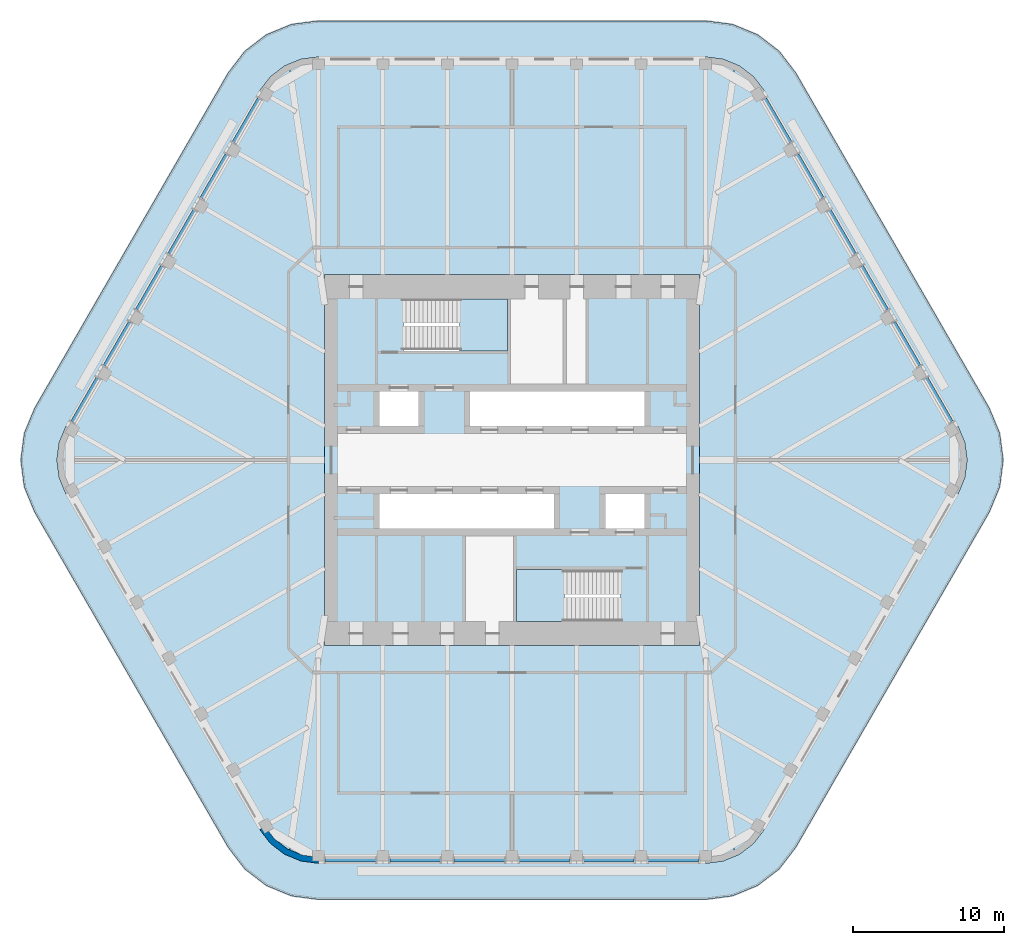
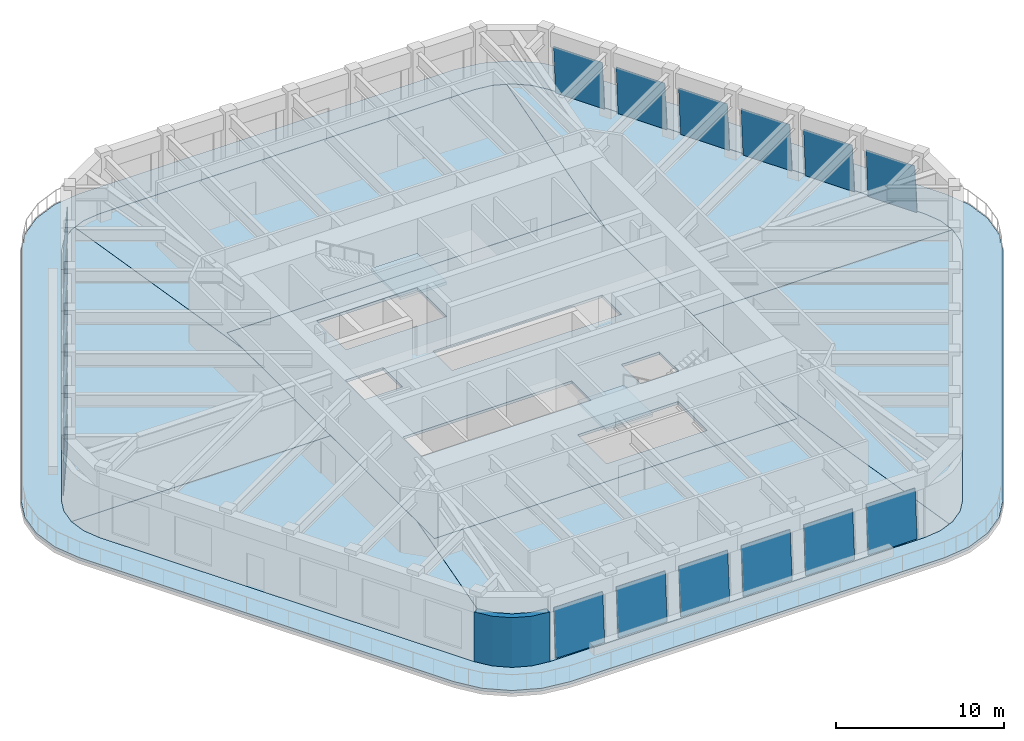
# One storey, part 6 of 13: 18 plates, 10 slabs, 1 wall, 20 elements without a shape of their own.
"""IFC4 building model written with IfcOpenShell, lengths in metres."""

from ifc_helpers import new_model, si_unit, direction, frame, origin, place, context, subcontext, project, spatial, polyline, outline, extrude, material, layer, layer_set, type_object, element, aggregate, save


model = new_model("IFC4")

# Units and contexts
model_context = context("Model", 3, precision=1e-05, world=origin(), true_north=direction((0.0, 1.0)))
body_context = subcontext(model_context, "Body", "Model", "MODEL_VIEW")
ifc_project = project(units=[si_unit("LENGTHUNIT", "METRE"), si_unit("AREAUNIT", "SQUARE_METRE"), si_unit("VOLUMEUNIT", "CUBIC_METRE"), si_unit("PLANEANGLEUNIT", "RADIAN"), si_unit("MASSUNIT", "GRAM", prefix="KILO")], contexts=[model_context])

# Site, building, storey
site_placement = place(None, origin())
site = spatial("IfcSite", under=ifc_project, at=site_placement, CompositionType="ELEMENT")
building_placement = place(site_placement, origin())
building = spatial("IfcBuilding", under=site, at=building_placement, Name="Tarfa Lantern Tower", CompositionType="ELEMENT")
storey_placement = place(building_placement, frame((0.0, 0.0, 391.300048828125)))
storey = spatial("IfcBuildingStorey", under=building, at=storey_placement, Name="L89", CompositionType="ELEMENT", Elevation=391.300048828125)

# Slab
ifc_material_1 = material(Name="Concrete C40/50", Category="concrete")
ifc_layer_1 = layer(ifc_material_1, 0.199951171875)
ifc_layer_set_1 = layer_set([ifc_layer_1], Name="BS2 BALCONY SLAB 200")
slab_type_1 = type_object("IfcSlabType", Name="BS2 BALCONY SLAB 200", PredefinedType="FLOOR", material=ifc_layer_set_1)
slab_1_placement = place(storey_placement, frame((0.0, 0.0, -0.199951171875)))
element("IfcSlab", 1, at=slab_1_placement, inside=storey, type_object=slab_type_1, Name="Balcony L89", PredefinedType="FLOOR", context=body_context, shape_type="SweptSolid", body=[
    extrude(outline(polyline([(31.667724609375, 3.449951171875), (18.821533203125, 25.699951171875), (17.72509765625, 27.129150390625), (16.296142578125, 28.2255859375), (14.6318359375, 28.914794921875), (12.845947265625, 29.14990234375), (-12.845947265625, 29.14990234375), (-14.6318359375, 28.914794921875), (-16.296142578125, 28.2255859375), (-17.72509765625, 27.129150390625), (-18.821533203125, 25.699951171875), (-31.667724609375, 3.449951171875), (-32.35693359375, 1.785888671875), (-32.592041015625, 0.0), (-32.35693359375, -1.785888671875), (-31.667724609375, -3.449951171875), (-18.821533203125, -25.699951171875), (-17.72509765625, -27.129150390625), (-16.296142578125, -28.2255859375), (-14.6318359375, -28.914794921875), (-12.845947265625, -29.14990234375), (12.845947265625, -29.14990234375), (14.6318359375, -28.914794921875), (16.296142578125, -28.2255859375), (17.72509765625, -27.129150390625), (18.821533203125, -25.699951171875), (31.667724609375, -3.449951171875), (32.35693359375, -1.785888671875), (32.592041015625, 0.0), (32.35693359375, 1.785888671875), (31.667724609375, 3.449951171875)]), holes=[polyline([(29.589111328125, 2.25), (16.7431640625, 24.5), (16.028076171875, 25.431884765625), (15.095947265625, 26.147216796875), (14.0107421875, 26.5966796875), (12.845947265625, 26.75), (-12.845947265625, 26.75), (-14.0107421875, 26.5966796875), (-15.095947265625, 26.147216796875), (-16.028076171875, 25.431884765625), (-16.7431640625, 24.5), (-29.589111328125, 2.25), (-30.038818359375, 1.164794921875), (-30.192138671875, 0.0), (-30.038818359375, -1.164794921875), (-29.589111328125, -2.25), (-16.7431640625, -24.5), (-16.028076171875, -25.431884765625), (-15.095947265625, -26.147216796875), (-14.0107421875, -26.5966796875), (-12.845947265625, -26.75), (12.845947265625, -26.75), (14.0107421875, -26.5966796875), (15.095947265625, -26.147216796875), (16.028076171875, -25.431884765625), (16.7431640625, -24.5), (29.589111328125, -2.25), (30.038818359375, -1.164794921875), (30.192138671875, 0.0), (30.038818359375, 1.164794921875), (29.589111328125, 2.25)])]), origin(), (0.0, 0.0, 1.0), 0.199951171875),
])

# Curtain wall, plate
ifc_material_2 = material(Name="Aluminium framed curtain wall", Category="aluminium")
curtain_wall_type = type_object("IfcCurtainWallType", Name="CW5 CANTED GLAZING SKY LOBBY 3600", PredefinedType="USERDEFINED", material=ifc_material_2)
curtain_wall_1_placement = place(storey_placement, origin())
curtain_wall_1 = element("IfcCurtainWall", 2, at=curtain_wall_1_placement, inside=storey, type_object=curtain_wall_type, Name="CW5 NE L89", ObjectType="CURTAIN WALL", PredefinedType="USERDEFINED")
ifc_material_3 = material(Name="Laminated double glazing", Category="glass")
ifc_layer_2 = layer(ifc_material_3, 0.028076171875)
ifc_layer_set_2 = layer_set([ifc_layer_2], Name="CWP1 DOUBLE GLAZED PANEL")
plate_type = type_object("IfcPlateType", Name="CWP1 DOUBLE GLAZED PANEL", PredefinedType="CURTAIN_PANEL", material=ifc_layer_set_2)
plate_1_placement = place(storey_placement, frame((29.27001953125, 2.602783203125, 0.0), z_axis=(0.863937346226, 0.498816642712, 0.069240297155), x_axis=(-0.500016677412, 0.866015774862, 0.0)))
plate_1 = element("IfcPlate", 3, at=plate_1_placement, type_object=plate_type, Name="CW5 panel 1.1", PredefinedType="CURTAIN_PANEL", context=body_context, shape_type="SweptSolid", body=[
    extrude(outline(polyline([(0.0, 0.0), (3.3519389779157205, 0.0), (3.35179458694716, 3.5434162706853587), (-0.0001443909685602679, 3.5434162706853587), (0.0, 0.0)])), origin(), (0.0, 0.0, -1.0), 0.028076171875),
])
aggregate(curtain_wall_1, [plate_1])

curtain_wall_2_placement = place(storey_placement, origin())
curtain_wall_2 = element("IfcCurtainWall", 4, at=curtain_wall_2_placement, inside=storey, type_object=curtain_wall_type, Name="CW5 NE L89", ObjectType="CURTAIN WALL", PredefinedType="USERDEFINED")
plate_2_placement = place(storey_placement, frame((27.129150390625, 6.31103515625, 0.0), z_axis=(0.863943889292, 0.498799444934, 0.069282536684), x_axis=(-0.500000983791, 0.866024835791, 1.25853e-06)))
plate_2 = element("IfcPlate", 5, at=plate_2_placement, type_object=plate_type, Name="CW5 panel 1.1", PredefinedType="CURTAIN_PANEL", context=body_context, shape_type="SweptSolid", body=[
    extrude(outline(polyline([(0.0, 0.0), (3.3519389773626935, -1.3877787807814457e-17), (3.352128091516886, 3.543422458267353), (-2.2317690483134024e-05, 3.5434309158903514), (0.0, 0.0)])), origin(), (0.0, 0.0, -1.0), 0.028076171875),
])
aggregate(curtain_wall_2, [plate_2])

curtain_wall_3_placement = place(storey_placement, origin())
curtain_wall_3 = element("IfcCurtainWall", 6, at=curtain_wall_3_placement, inside=storey, type_object=curtain_wall_type, Name="CW5 NE L89", ObjectType="CURTAIN WALL", PredefinedType="USERDEFINED")
plate_3_placement = place(storey_placement, frame((24.988037109375, 10.019287109375, 0.0), z_axis=(0.863943889292, 0.498799444934, 0.069282536684), x_axis=(-0.500000832407, 0.866024923193, -1.258451e-06)))
plate_3 = element("IfcPlate", 7, at=plate_3_placement, type_object=plate_type, Name="CW5 panel 1.1", PredefinedType="CURTAIN_PANEL", context=body_context, shape_type="SweptSolid", body=[
    extrude(outline(polyline([(0.0, 0.0), (3.352150409218039, 1.3877787807814457e-17), (3.3521191512954216, 3.543430915822765), (0.0001801739433964454, 3.5434224587332186), (0.0, 0.0)])), origin(), (0.0, 0.0, -1.0), 0.028076171875),
])
aggregate(curtain_wall_3, [plate_3])

curtain_wall_4_placement = place(storey_placement, origin())
curtain_wall_4 = element("IfcCurtainWall", 8, at=curtain_wall_4_placement, inside=storey, type_object=curtain_wall_type, Name="CW5 NE L89", ObjectType="CURTAIN WALL", PredefinedType="USERDEFINED")
plate_4_placement = place(storey_placement, frame((22.84716796875, 13.727783203125, 0.0), z_axis=(0.863933775395, 0.498814581, 0.069299679026), x_axis=(-0.500016677412, 0.866015774862, 0.0)))
plate_4 = element("IfcPlate", 9, at=plate_4_placement, type_object=plate_type, Name="CW5 panel 1.1", PredefinedType="CURTAIN_PANEL", context=body_context, shape_type="SweptSolid", body=[
    extrude(outline(polyline([(0.0, 0.0), (3.3519389779157205, 0.0), (3.351916661331294, 3.543430916413499), (-2.2316584426487762e-05, 3.543430916413499), (0.0, 0.0)])), origin(), (0.0, 0.0, -1.0), 0.028076171875),
])
aggregate(curtain_wall_4, [plate_4])

curtain_wall_5_placement = place(storey_placement, origin())
curtain_wall_5 = element("IfcCurtainWall", 10, at=curtain_wall_5_placement, inside=storey, type_object=curtain_wall_type, Name="CW5 NE L89", ObjectType="CURTAIN WALL", PredefinedType="USERDEFINED")
plate_5_placement = place(storey_placement, frame((20.7060546875, 17.43603515625, 0.0), z_axis=(0.863943889292, 0.498799444934, 0.069282536684), x_axis=(-0.500000983791, 0.866024835791, 1.25853e-06)))
plate_5 = element("IfcPlate", 11, at=plate_5_placement, type_object=plate_type, Name="CW5 panel 1.1", PredefinedType="CURTAIN_PANEL", context=body_context, shape_type="SweptSolid", body=[
    extrude(outline(polyline([(0.0, 0.0), (3.3519389773626935, -1.3877787807814457e-17), (3.352128091516886, 3.543422458267353), (-2.2317690483134024e-05, 3.5434309158903514), (0.0, 0.0)])), origin(), (0.0, 0.0, -1.0), 0.028076171875),
])
aggregate(curtain_wall_5, [plate_5])

curtain_wall_6_placement = place(storey_placement, origin())
curtain_wall_6 = element("IfcCurtainWall", 12, at=curtain_wall_6_placement, inside=storey, type_object=curtain_wall_type, Name="CW5 NE L89", ObjectType="CURTAIN WALL", PredefinedType="USERDEFINED")
plate_6_placement = place(storey_placement, frame((18.56494140625, 21.144287109375, 0.0), z_axis=(0.863961405577, 0.498773228088, 0.069252845547), x_axis=(-0.499973388257, 0.866040767529, -3.436777e-06)))
plate_6 = element("IfcPlate", 13, at=plate_6_placement, type_object=plate_type, Name="CW5 panel 1.1", PredefinedType="CURTAIN_PANEL", context=body_context, shape_type="SweptSolid", body=[
    extrude(outline(polyline([(0.0, 0.0), (3.352028345627142, 0.0), (3.3519816058854617, 3.543430912270803), (4.263217708787238e-05, 3.543407816784408), (0.0, 0.0)])), origin(), (0.0, 0.0, -1.0), 0.028076171875),
])
aggregate(curtain_wall_6, [plate_6])

curtain_wall_7_placement = place(storey_placement, origin())
curtain_wall_7 = element("IfcCurtainWall", 14, at=curtain_wall_7_placement, inside=storey, type_object=curtain_wall_type, Name="CW5 NW L89", ObjectType="CURTAIN WALL", PredefinedType="USERDEFINED")
plate_7_placement = place(storey_placement, frame((-16.88916015625, 24.04736328125, 0.0), z_axis=(-0.863961405577, 0.498773228088, 0.069252845547), x_axis=(-0.499973388257, -0.866040767529, 3.436777e-06)))
plate_7 = element("IfcPlate", 15, at=plate_7_placement, type_object=plate_type, Name="CW5 panel 1.1", PredefinedType="CURTAIN_PANEL", context=body_context, shape_type="SweptSolid", body=[
    extrude(outline(polyline([(0.0, 0.0), (3.352028345627142, 0.0), (3.3519857134500533, 3.543407816784408), (4.673974167963889e-05, 3.543430912270803), (0.0, 0.0)])), origin(), (0.0, 0.0, -1.0), 0.028076171875),
])
aggregate(curtain_wall_7, [plate_7])

curtain_wall_8_placement = place(storey_placement, origin())
curtain_wall_8 = element("IfcCurtainWall", 16, at=curtain_wall_8_placement, inside=storey, type_object=curtain_wall_type, Name="CW5 NW L89", ObjectType="CURTAIN WALL", PredefinedType="USERDEFINED")
plate_8_placement = place(storey_placement, frame((-19.030029296875, 20.3388671875, 0.0), z_axis=(-0.863943889292, 0.498799444934, 0.069282536684), x_axis=(-0.500000983791, -0.866024835791, -1.25853e-06)))
plate_8 = element("IfcPlate", 17, at=plate_8_placement, type_object=plate_type, Name="CW5 panel 1.1", PredefinedType="CURTAIN_PANEL", context=body_context, shape_type="SweptSolid", body=[
    extrude(outline(polyline([(0.0, 0.0), (3.3519389773626935, 1.3877787807814457e-17), (3.351961295053177, 3.5434309158903514), (-0.00018911415419240187, 3.543422458267353), (0.0, 0.0)])), origin(), (0.0, 0.0, -1.0), 0.028076171875),
])
aggregate(curtain_wall_8, [plate_8])

curtain_wall_9_placement = place(storey_placement, origin())
curtain_wall_9 = element("IfcCurtainWall", 18, at=curtain_wall_9_placement, inside=storey, type_object=curtain_wall_type, Name="CW5 NW L89", ObjectType="CURTAIN WALL", PredefinedType="USERDEFINED")
plate_9_placement = place(storey_placement, frame((-21.171142578125, 16.630615234375, 0.0), z_axis=(-0.863933775395, 0.498814581, 0.069299679026), x_axis=(-0.500016677412, -0.866015774862, 0.0)))
plate_9 = element("IfcPlate", 19, at=plate_9_placement, type_object=plate_type, Name="CW5 panel 1.1", PredefinedType="CURTAIN_PANEL", context=body_context, shape_type="SweptSolid", body=[
    extrude(outline(polyline([(0.0, 0.0), (3.3519389779157205, 0.0), (3.351961294500147, 3.543430916413499), (2.2316584426487762e-05, 3.543430916413499), (0.0, 0.0)])), origin(), (0.0, 0.0, -1.0), 0.028076171875),
])
aggregate(curtain_wall_9, [plate_9])

curtain_wall_10_placement = place(storey_placement, origin())
curtain_wall_10 = element("IfcCurtainWall", 20, at=curtain_wall_10_placement, inside=storey, type_object=curtain_wall_type, Name="CW5 NW L89", ObjectType="CURTAIN WALL", PredefinedType="USERDEFINED")
plate_10_placement = place(storey_placement, frame((-23.31201171875, 12.92236328125, 0.0), z_axis=(-0.863943889292, 0.498799444934, 0.069282536684), x_axis=(-0.500000832407, -0.866024923193, 1.258451e-06)))
plate_10 = element("IfcPlate", 21, at=plate_10_placement, type_object=plate_type, Name="CW5 panel 1.1", PredefinedType="CURTAIN_PANEL", context=body_context, shape_type="SweptSolid", body=[
    extrude(outline(polyline([(0.0, 0.0), (3.352150409218039, -1.3877787807814457e-17), (3.3519702352746426, 3.5434224587332186), (3.1257922617368845e-05, 3.543430915822765), (0.0, 0.0)])), origin(), (0.0, 0.0, -1.0), 0.028076171875),
])
aggregate(curtain_wall_10, [plate_10])

curtain_wall_11_placement = place(storey_placement, origin())
curtain_wall_11 = element("IfcCurtainWall", 22, at=curtain_wall_11_placement, inside=storey, type_object=curtain_wall_type, Name="CW5 NW L89", ObjectType="CURTAIN WALL", PredefinedType="USERDEFINED")
plate_11_placement = place(storey_placement, frame((-25.453125, 9.2138671875, 0.0), z_axis=(-0.863943889292, 0.498799444934, 0.069282536684), x_axis=(-0.500000983791, -0.866024835791, -1.25853e-06)))
plate_11 = element("IfcPlate", 23, at=plate_11_placement, type_object=plate_type, Name="CW5 panel 1.1", PredefinedType="CURTAIN_PANEL", context=body_context, shape_type="SweptSolid", body=[
    extrude(outline(polyline([(0.0, 0.0), (3.3519389773626935, 1.3877787807814457e-17), (3.351961295053177, 3.5434309158903514), (-0.00018911415419240187, 3.543422458267353), (0.0, 0.0)])), origin(), (0.0, 0.0, -1.0), 0.028076171875),
])
aggregate(curtain_wall_11, [plate_11])

curtain_wall_12_placement = place(storey_placement, origin())
curtain_wall_12 = element("IfcCurtainWall", 24, at=curtain_wall_12_placement, inside=storey, type_object=curtain_wall_type, Name="CW5 NW L89", ObjectType="CURTAIN WALL", PredefinedType="USERDEFINED")
plate_12_placement = place(storey_placement, frame((-27.593994140625, 5.505615234375, 0.0), z_axis=(-0.863937346226, 0.498816642712, 0.069240297155), x_axis=(-0.500016677412, -0.866015774862, 0.0)))
plate_12 = element("IfcPlate", 25, at=plate_12_placement, type_object=plate_type, Name="CW5 panel 1.1", PredefinedType="CURTAIN_PANEL", context=body_context, shape_type="SweptSolid", body=[
    extrude(outline(polyline([(0.0, 0.0), (3.3519389779157205, 0.0), (3.352083368884281, 3.5434162706853587), (0.0001443909685602679, 3.5434162706853587), (0.0, 0.0)])), origin(), (0.0, 0.0, -1.0), 0.028076171875),
])
aggregate(curtain_wall_12, [plate_12])

curtain_wall_13_placement = place(storey_placement, origin())
curtain_wall_13 = element("IfcCurtainWall", 26, at=curtain_wall_13_placement, inside=storey, type_object=curtain_wall_type, Name="CW5 S L89", ObjectType="CURTAIN WALL", PredefinedType="USERDEFINED")
plate_13_placement = place(storey_placement, frame((-12.381103515625, -26.64990234375, 0.0), z_axis=(0.0, -0.997599735147, 0.069244266443), x_axis=(1.0, 0.0, 0.0)))
plate_13 = element("IfcPlate", 27, at=plate_13_placement, type_object=plate_type, Name="CW5 panel 1.1", PredefinedType="CURTAIN_PANEL", context=body_context, shape_type="SweptSolid", body=[
    extrude(outline(polyline([(0.0, 0.0), (3.35205078125, 0.0), (3.35205078125, 3.5434172492588676), (0.0, 3.5434172492588676), (0.0, 0.0)])), origin(), (0.0, 0.0, -1.0), 0.028076171875),
])
aggregate(curtain_wall_13, [plate_13])

curtain_wall_14_placement = place(storey_placement, origin())
curtain_wall_14 = element("IfcCurtainWall", 28, at=curtain_wall_14_placement, inside=storey, type_object=curtain_wall_type, Name="CW5 S L89", ObjectType="CURTAIN WALL", PredefinedType="USERDEFINED")
plate_14_placement = place(storey_placement, frame((-8.09912109375, -26.64990234375, 0.0), z_axis=(0.0, -0.997599735147, 0.069244266443), x_axis=(1.0, 0.0, 0.0)))
plate_14 = element("IfcPlate", 29, at=plate_14_placement, type_object=plate_type, Name="CW5 panel 1.1", PredefinedType="CURTAIN_PANEL", context=body_context, shape_type="SweptSolid", body=[
    extrude(outline(polyline([(0.0, 0.0), (3.35205078125, 0.0), (3.35205078125, 3.5434172492588676), (0.0, 3.5434172492588676), (0.0, 0.0)])), origin(), (0.0, 0.0, -1.0), 0.028076171875),
])
aggregate(curtain_wall_14, [plate_14])

curtain_wall_15_placement = place(storey_placement, origin())
curtain_wall_15 = element("IfcCurtainWall", 30, at=curtain_wall_15_placement, inside=storey, type_object=curtain_wall_type, Name="CW5 S L89", ObjectType="CURTAIN WALL", PredefinedType="USERDEFINED")
plate_15_placement = place(storey_placement, frame((-3.81689453125, -26.64990234375, 0.0), z_axis=(0.0, -0.997599735147, 0.069244266443), x_axis=(1.0, 0.0, 0.0)))
plate_15 = element("IfcPlate", 31, at=plate_15_placement, type_object=plate_type, Name="CW5 panel 1.1", PredefinedType="CURTAIN_PANEL", context=body_context, shape_type="SweptSolid", body=[
    extrude(outline(polyline([(0.0, 0.0), (3.351806640625, 0.0), (3.351806640625, 3.543417249258867), (0.0, 3.543417249258867), (0.0, 0.0)])), origin(), (0.0, 0.0, -1.0), 0.028076171875),
])
aggregate(curtain_wall_15, [plate_15])

curtain_wall_16_placement = place(storey_placement, origin())
curtain_wall_16 = element("IfcCurtainWall", 32, at=curtain_wall_16_placement, inside=storey, type_object=curtain_wall_type, Name="CW5 S L89", ObjectType="CURTAIN WALL", PredefinedType="USERDEFINED")
plate_16_placement = place(storey_placement, frame((0.465087890625, -26.64990234375, 0.0), z_axis=(0.0, -0.997599735147, 0.069244266443), x_axis=(1.0, 0.0, 0.0)))
plate_16 = element("IfcPlate", 33, at=plate_16_placement, type_object=plate_type, Name="CW5 panel 1.1", PredefinedType="CURTAIN_PANEL", context=body_context, shape_type="SweptSolid", body=[
    extrude(outline(polyline([(0.0, 0.0), (3.351806640625, 0.0), (3.351806640625, 3.543417249258867), (0.0, 3.543417249258867), (0.0, 0.0)])), origin(), (0.0, 0.0, -1.0), 0.028076171875),
])
aggregate(curtain_wall_16, [plate_16])

curtain_wall_17_placement = place(storey_placement, origin())
curtain_wall_17 = element("IfcCurtainWall", 34, at=curtain_wall_17_placement, inside=storey, type_object=curtain_wall_type, Name="CW5 S L89", ObjectType="CURTAIN WALL", PredefinedType="USERDEFINED")
plate_17_placement = place(storey_placement, frame((4.7470703125, -26.64990234375, 0.0), z_axis=(0.0, -0.997599735147, 0.069244266443), x_axis=(1.0, 0.0, 0.0)))
plate_17 = element("IfcPlate", 35, at=plate_17_placement, type_object=plate_type, Name="CW5 panel 1.1", PredefinedType="CURTAIN_PANEL", context=body_context, shape_type="SweptSolid", body=[
    extrude(outline(polyline([(0.0, 0.0), (3.35205078125, 0.0), (3.35205078125, 3.5434172492588676), (0.0, 3.5434172492588676), (0.0, 0.0)])), origin(), (0.0, 0.0, -1.0), 0.028076171875),
])
aggregate(curtain_wall_17, [plate_17])

curtain_wall_18_placement = place(storey_placement, origin())
curtain_wall_18 = element("IfcCurtainWall", 36, at=curtain_wall_18_placement, inside=storey, type_object=curtain_wall_type, Name="CW5 S L89", ObjectType="CURTAIN WALL", PredefinedType="USERDEFINED")
plate_18_placement = place(storey_placement, frame((9.029052734375, -26.64990234375, 0.0), z_axis=(0.0, -0.997599735147, 0.069244266443), x_axis=(1.0, 0.0, 0.0)))
plate_18 = element("IfcPlate", 37, at=plate_18_placement, type_object=plate_type, Name="CW5 panel 1.1", PredefinedType="CURTAIN_PANEL", context=body_context, shape_type="SweptSolid", body=[
    extrude(outline(polyline([(0.0, 0.0), (3.35205078125, 0.0), (3.35205078125, 3.5434172492588676), (0.0, 3.5434172492588676), (0.0, 0.0)])), origin(), (0.0, 0.0, -1.0), 0.028076171875),
])
aggregate(curtain_wall_18, [plate_18])

# Slabs
ifc_layer_3 = layer(ifc_material_1, 0.199951171875)
ifc_layer_set_3 = layer_set([ifc_layer_3], Name="FS1 FLOOR SLAB 200")
slab_type_2 = type_object("IfcSlabType", Name="FS1 FLOOR SLAB 200", PredefinedType="FLOOR", material=ifc_layer_set_3)
slab_2_placement = place(storey_placement, frame((0.0, 0.0, -0.199951171875)))
element("IfcSlab", 38, at=slab_2_placement, inside=storey, type_object=slab_type_2, Name="Floor slab L89", PredefinedType="FLOOR", context=body_context, shape_type="SweptSolid", body=[
    extrude(outline(polyline([(-12.425048828125, -12.300048828125), (12.425048828125, -12.300048828125), (12.425048828125, 12.300048828125), (-12.425048828125, 12.300048828125), (-12.425048828125, -12.300048828125)]), holes=[polyline([(-8.800048828125, 2.25), (-6.199951171875, 2.25), (-6.199951171875, 4.550048828125), (-8.800048828125, 4.550048828125), (-8.800048828125, 2.25)]), polyline([(-2.800048828125, 2.25), (8.800048828125, 2.25), (8.800048828125, 4.550048828125), (-2.800048828125, 4.550048828125), (-2.800048828125, 2.25)]), polyline([(8.800048828125, -2.25), (6.199951171875, -2.25), (6.199951171875, -4.550048828125), (8.800048828125, -4.550048828125), (8.800048828125, -2.25)]), polyline([(2.800048828125, -2.25), (-8.800048828125, -2.25), (-8.800048828125, -4.550048828125), (2.800048828125, -4.550048828125), (2.800048828125, -2.25)]), polyline([(-7.199951171875, 7.25), (-0.300048828125, 7.25), (-0.300048828125, 10.699951171875), (-7.199951171875, 10.699951171875), (-7.199951171875, 7.25)]), polyline([(7.199951171875, -7.25), (0.300048828125, -7.25), (0.300048828125, -10.699951171875), (7.199951171875, -10.699951171875), (7.199951171875, -7.25)])]), origin(), (0.0, 0.0, 1.0), 0.199951171875),
])
slab_3_placement = place(storey_placement, frame((0.0, 0.0, -0.199951171875)))
element("IfcSlab", 39, at=slab_3_placement, inside=storey, type_object=slab_type_2, Name="Floor slab L89 NE bay", PredefinedType="FLOOR", context=body_context, shape_type="SweptSolid", body=[
    extrude(outline(polyline([(29.58740234375, 2.2490234375), (16.741455078125, 24.498779296875), (16.026611328125, 25.4306640625), (15.094970703125, 26.145263671875), (14.802001953125, 26.2666015625), (12.427001953125, 10.2998046875), (12.427001953125, 0.001953125), (30.189697265625, 0.001953125), (30.036865234375, 1.1640625), (29.58740234375, 2.2490234375)])), origin(), (0.0, 0.0, 1.0), 0.199951171875),
])
slab_4_placement = place(storey_placement, frame((0.0, 0.0, -0.199951171875)))
element("IfcSlab", 40, at=slab_4_placement, inside=storey, type_object=slab_type_2, Name="Floor slab L89 N bay", PredefinedType="FLOOR", context=body_context, shape_type="SweptSolid", body=[
    extrude(outline(polyline([(-12.427001953125, 10.3271484375), (-12.427001953125, 12.302001953125), (12.427001953125, 12.302001953125), (12.427001953125, 10.3271484375), (14.79833984375, 26.268310546875), (14.01025390625, 26.5947265625), (12.845947265625, 26.748046875), (-12.845947265625, 26.748046875), (-14.01025390625, 26.5947265625), (-14.79833984375, 26.268310546875), (-12.427001953125, 10.3271484375)])), origin(), (0.0, 0.0, 1.0), 0.199951171875),
])
slab_5_placement = place(storey_placement, frame((0.0, 0.0, -0.199951171875)))
element("IfcSlab", 41, at=slab_5_placement, inside=storey, type_object=slab_type_2, Name="Floor slab L89 NW bay", PredefinedType="FLOOR", context=body_context, shape_type="SweptSolid", body=[
    extrude(outline(polyline([(-12.427001953125, 0.001953125), (-12.427001953125, 10.2998046875), (-14.802001953125, 26.2666015625), (-15.094970703125, 26.145263671875), (-16.026611328125, 25.4306640625), (-16.741455078125, 24.498779296875), (-29.58740234375, 2.2490234375), (-30.036865234375, 1.1640625), (-30.189697265625, 0.001953125), (-12.427001953125, 0.001953125)])), origin(), (0.0, 0.0, 1.0), 0.199951171875),
])
slab_6_placement = place(storey_placement, frame((0.0, 0.0, -0.199951171875)))
element("IfcSlab", 42, at=slab_6_placement, inside=storey, type_object=slab_type_2, Name="Floor slab L89 SW bay", PredefinedType="FLOOR", context=body_context, shape_type="SweptSolid", body=[
    extrude(outline(polyline([(-12.427001953125, -10.2998046875), (-12.427001953125, -0.001953125), (-30.189697265625, -0.001953125), (-30.036865234375, -1.1640625), (-29.58740234375, -2.2490234375), (-16.741455078125, -24.498779296875), (-16.026611328125, -25.4306640625), (-15.094970703125, -26.145263671875), (-14.802001953125, -26.2666015625), (-12.427001953125, -10.2998046875)])), origin(), (0.0, 0.0, 1.0), 0.199951171875),
])
slab_7_placement = place(storey_placement, frame((0.0, 0.0, -0.199951171875)))
element("IfcSlab", 43, at=slab_7_placement, inside=storey, type_object=slab_type_2, Name="Floor slab L89 S bay", PredefinedType="FLOOR", context=body_context, shape_type="SweptSolid", body=[
    extrude(outline(polyline([(12.427001953125, -10.3271484375), (12.427001953125, -12.302001953125), (-12.427001953125, -12.302001953125), (-12.427001953125, -10.3271484375), (-14.79833984375, -26.268310546875), (-14.01025390625, -26.5947265625), (-12.845947265625, -26.748046875), (12.845947265625, -26.748046875), (14.01025390625, -26.5947265625), (14.79833984375, -26.268310546875), (12.427001953125, -10.3271484375)])), origin(), (0.0, 0.0, 1.0), 0.199951171875),
])
slab_8_placement = place(storey_placement, frame((0.0, 0.0, -0.199951171875)))
element("IfcSlab", 44, at=slab_8_placement, inside=storey, type_object=slab_type_2, Name="Floor slab L89 SE bay", PredefinedType="FLOOR", context=body_context, shape_type="SweptSolid", body=[
    extrude(outline(polyline([(12.427001953125, -0.001953125), (12.427001953125, -10.2998046875), (14.802001953125, -26.2666015625), (15.094970703125, -26.145263671875), (16.026611328125, -25.4306640625), (16.741455078125, -24.498779296875), (29.58740234375, -2.2490234375), (30.036865234375, -1.1640625), (30.189697265625, -0.001953125), (12.427001953125, -0.001953125)])), origin(), (0.0, 0.0, 1.0), 0.199951171875),
])

# Stair, slab
stair_type = type_object("IfcStairType", Name="ST-T9 HALF-TURN STAIR 5000 RISE", PredefinedType="HALF_TURN_STAIR", material=ifc_material_1)
stair_1_placement = place(storey_placement, origin())
stair_1 = element("IfcStair", 45, at=stair_1_placement, inside=storey, type_object=stair_type, Name="Stair ST1", PredefinedType="HALF_TURN_STAIR")
ifc_layer_4 = layer(ifc_material_1, 0.199951171875)
ifc_layer_set_4 = layer_set([ifc_layer_4], Name="SL1 STAIR LANDING 200")
slab_type_3 = type_object("IfcSlabType", Name="SL1 STAIR LANDING 200", PredefinedType="LANDING", material=ifc_layer_set_4)
slab_9_placement = place(storey_placement, frame((0.0, 0.0, 2.300048828125)))
slab_9 = element("IfcSlab", 46, at=slab_9_placement, type_object=slab_type_3, Name="ST1 landing 1", PredefinedType="LANDING", context=body_context, shape_type="SweptSolid", body=[
    extrude(outline(polyline([(-3.47998046875, 7.25), (-0.300048828125, 7.25), (-0.300048828125, 10.699951171875), (-3.47998046875, 10.699951171875), (-3.47998046875, 7.25)])), origin(), (0.0, 0.0, 1.0), 0.199951171875),
])
aggregate(stair_1, [slab_9])

stair_2_placement = place(storey_placement, origin())
stair_2 = element("IfcStair", 47, at=stair_2_placement, inside=storey, type_object=stair_type, Name="Stair ST2", PredefinedType="HALF_TURN_STAIR")
slab_10_placement = place(storey_placement, frame((0.0, 0.0, 2.300048828125)))
slab_10 = element("IfcSlab", 48, at=slab_10_placement, type_object=slab_type_3, Name="ST2 landing 1", PredefinedType="LANDING", context=body_context, shape_type="SweptSolid", body=[
    extrude(outline(polyline([(3.47998046875, -7.25), (0.300048828125, -7.25), (0.300048828125, -10.699951171875), (3.47998046875, -10.699951171875), (3.47998046875, -7.25)])), origin(), (0.0, 0.0, 1.0), 0.199951171875),
])
aggregate(stair_2, [slab_10])

# Wall
ifc_material_4 = material(Name="Limestone cladding on blockwork", Category="masonry")
ifc_layer_5 = layer(ifc_material_4, 0.39990234375)
ifc_layer_set_5 = layer_set([ifc_layer_5], Name="EW2 CURVED STONE CORNER 400")
wall_type = type_object("IfcWallType", Name="EW2 CURVED STONE CORNER 400", PredefinedType="SOLIDWALL", material=ifc_layer_set_5)
wall_placement = place(storey_placement, origin())
element("IfcWall", 49, at=wall_placement, inside=storey, type_object=wall_type, Name="Stone corner SW-S", PredefinedType="SOLIDWALL", context=body_context, shape_type="SweptSolid", body=[
    extrude(outline(polyline([(-16.7431640625, -24.5), (-16.028076171875, -25.431884765625), (-15.095947265625, -26.147216796875), (-14.0107421875, -26.5966796875), (-12.845947265625, -26.75), (-12.845947265625, -26.35009765625), (-13.9072265625, -26.210205078125), (-14.89599609375, -25.80078125), (-15.7451171875, -25.149169921875), (-16.396728515625, -24.300048828125), (-16.7431640625, -24.5)])), origin(), (0.0, 0.0, 1.0), 3.599853515625),
])

save(model, "model.ifc")
